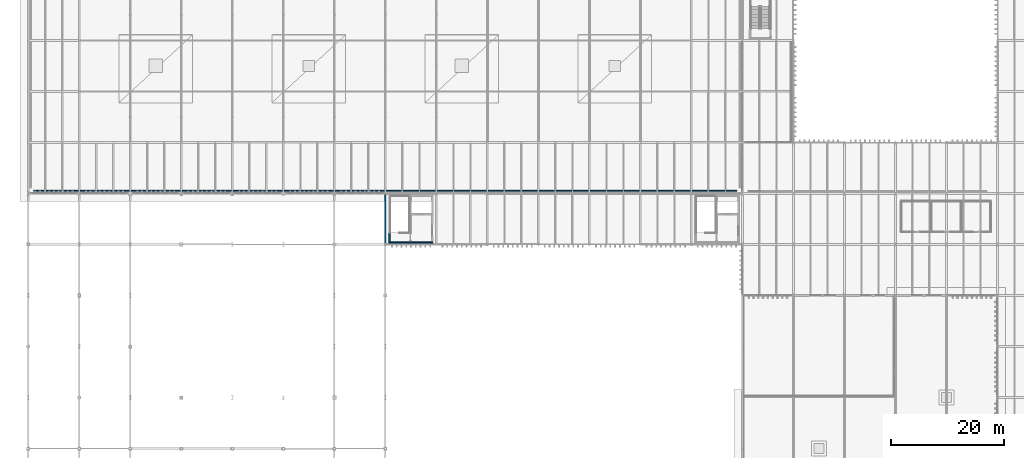
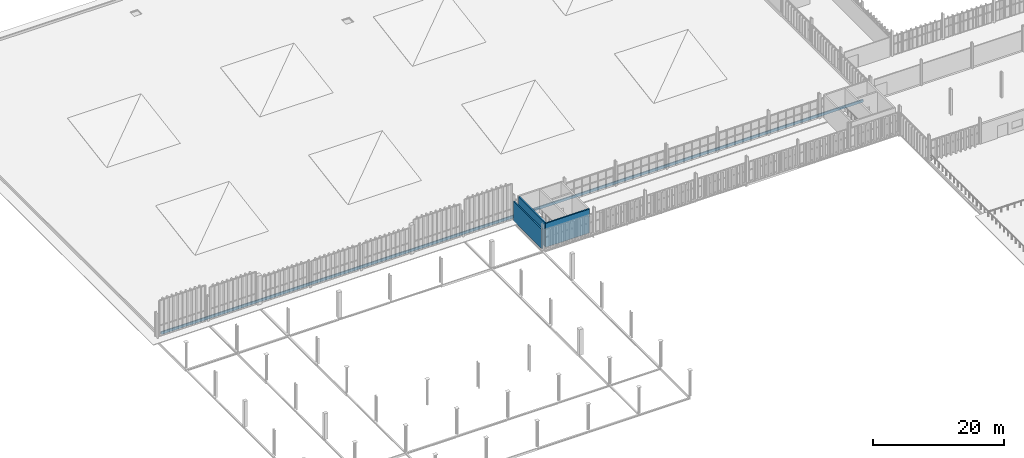
# One storey, part 177 of 196: 4 walls.
"""IFC4 building model written with IfcOpenShell, lengths in metres."""

from ifc_helpers import new_model, si_unit, direction, frame, frame_2d, origin, place, context, subcontext, project, spatial, rectangle, extrude, material, layer, layer_set, type_object, element, save


model = new_model("IFC4")

# Units and contexts
model_context = context("Model", 3, precision=1e-05, world=origin(), true_north=direction((0.0, 1.0)))
body_context = subcontext(model_context, "Body", "Model", "MODEL_VIEW")
ifc_project = project(units=[si_unit("LENGTHUNIT", "METRE"), si_unit("AREAUNIT", "SQUARE_METRE"), si_unit("VOLUMEUNIT", "CUBIC_METRE"), si_unit("PLANEANGLEUNIT", "RADIAN"), si_unit("MASSUNIT", "GRAM", prefix="KILO")], contexts=[model_context])

# Site, building, storey
site_placement = place(None, origin())
site = spatial("IfcSite", under=ifc_project, at=site_placement, CompositionType="ELEMENT")
building_placement = place(site_placement, origin())
building = spatial("IfcBuilding", under=site, at=building_placement, Name="Barlavento Convention Centre", CompositionType="ELEMENT")
storey_placement = place(building_placement, frame((0.0, 0.0, 18.0)))
storey = spatial("IfcBuildingStorey", under=building, at=storey_placement, Name="L03", CompositionType="ELEMENT", Elevation=18.0)

# Walls
ifc_material_1 = material(Name="Insulated terracotta spandrel wall", Category="masonry")
ifc_layer_1 = layer(ifc_material_1, 0.239990234375)
ifc_layer_set_1 = layer_set([ifc_layer_1], Name="ARC-WL-EXT-240")
wall_type_1 = type_object("IfcWallType", Name="ARC-WL-EXT-240", PredefinedType="SOLIDWALL", material=ifc_layer_set_1)
wall_1_placement = place(storey_placement, frame((63.0, 45.2451171875, 0.0), z_axis=(0.0, 0.0, 1.0), x_axis=(0.0, 1.0, 0.0)))
element("IfcWall", 1, at=wall_1_placement, inside=storey, type_object=wall_type_1, Name="L03 exterior wall EW04", PredefinedType="SOLIDWALL", context=body_context, shape_type="SweptSolid", body=[
    extrude(rectangle(XDim=8.58984375, YDim=0.239990234375, at=frame_2d((4.294921875, 0.0))), origin(), (0.0, 0.0, 1.0), 3.64990234375),
])
ifc_material_2 = material(Name="Precast concrete C40/50 roof curb", Category="concrete")
ifc_layer_2 = layer(ifc_material_2, 0.195068359375)
ifc_layer_set_2 = layer_set([ifc_layer_2], Name="ARC-WL-PAR-195")
wall_type_2 = type_object("IfcWallType", Name="ARC-WL-PAR-195", PredefinedType="PARAPET", material=ifc_layer_set_2)
wall_2_placement = place(storey_placement, frame((1.0, 54.449951171875, 0.090087890625), z_axis=(0.0, 0.0, 1.0), x_axis=(1.0, 0.0, 0.0)))
element("IfcWall", 2, at=wall_2_placement, inside=storey, type_object=wall_type_2, Name="L03 exterior wall PW02", PredefinedType="PARAPET", context=body_context, shape_type="SweptSolid", body=[
    extrude(rectangle(XDim=124.0, YDim=0.195068359375, at=frame_2d((62.0, 0.0))), origin(), (0.0, 0.0, 1.0), 0.489990234375),
])
ifc_material_3 = material(Name="Concrete C50/60", Category="concrete")
ifc_layer_3 = layer(ifc_material_3, 0.25)
ifc_layer_set_3 = layer_set([ifc_layer_3], Name="STR-WL-CORE-250")
wall_type_3 = type_object("IfcWallType", Name="STR-WL-CORE-250", PredefinedType="SHEAR", material=ifc_layer_set_3)
wall_3_placement = place(storey_placement, frame((63.72509765625, 45.469970703125, 0.0), z_axis=(0.0, 0.0, 1.0), x_axis=(0.0, 1.0, 0.0)))
element("IfcWall", 3, at=wall_3_placement, inside=storey, type_object=wall_type_3, Name="L03 interior wall CW-02", PredefinedType="SHEAR", context=body_context, shape_type="SweptSolid", body=[
    extrude(rectangle(XDim=8.06005859375, YDim=0.25, at=frame_2d((4.030029296875, 0.0))), origin(), (0.0, 0.0, 1.0), 4.4599609375),
])
wall_4_placement = place(storey_placement, frame((63.60009765625, 45.344970703125, 0.0), z_axis=(0.0, 0.0, 1.0), x_axis=(1.0, 0.0, 0.0)))
element("IfcWall", 4, at=wall_4_placement, inside=storey, type_object=wall_type_3, Name="L03 interior wall CW-02", PredefinedType="SHEAR", context=body_context, shape_type="SweptSolid", body=[
    extrude(rectangle(XDim=7.7998046875, YDim=0.25, at=frame_2d((3.89990234375, 0.0))), origin(), (0.0, 0.0, 1.0), 4.4599609375),
])

save(model, "model.ifc")
